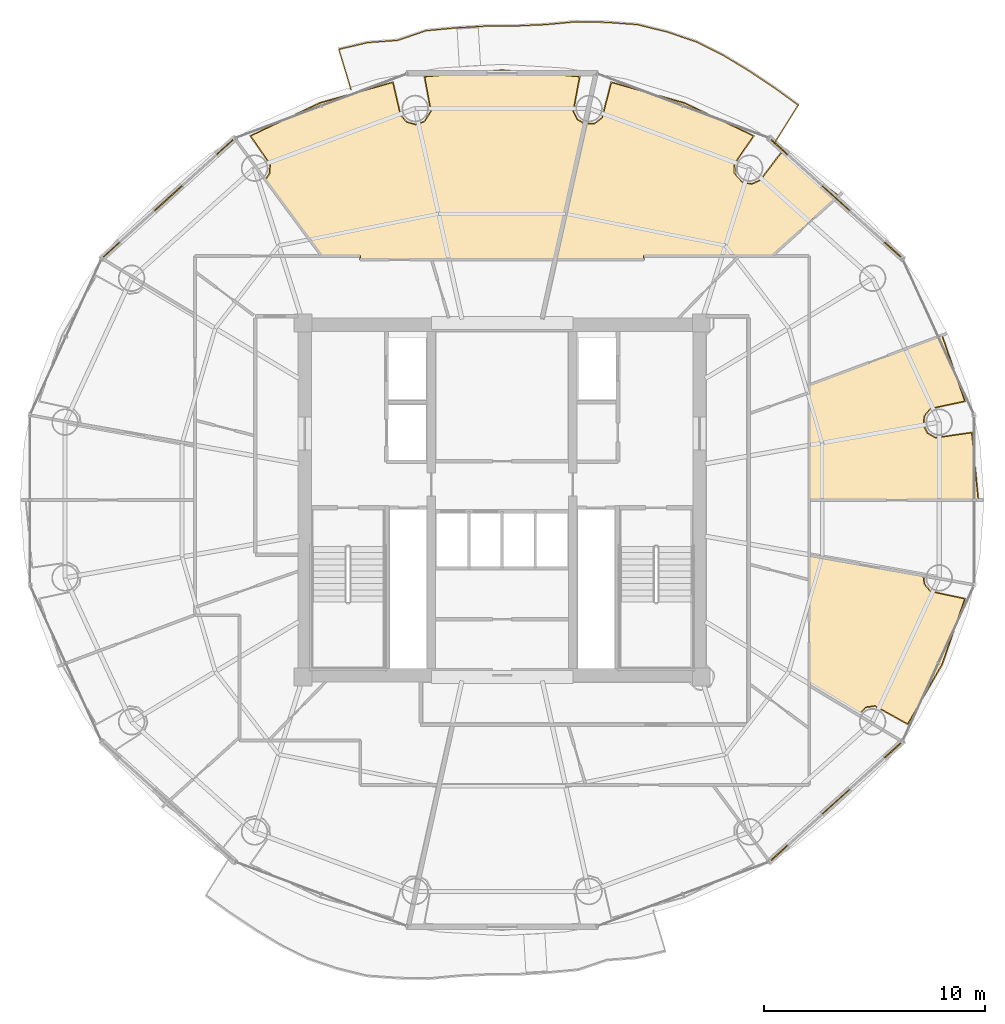
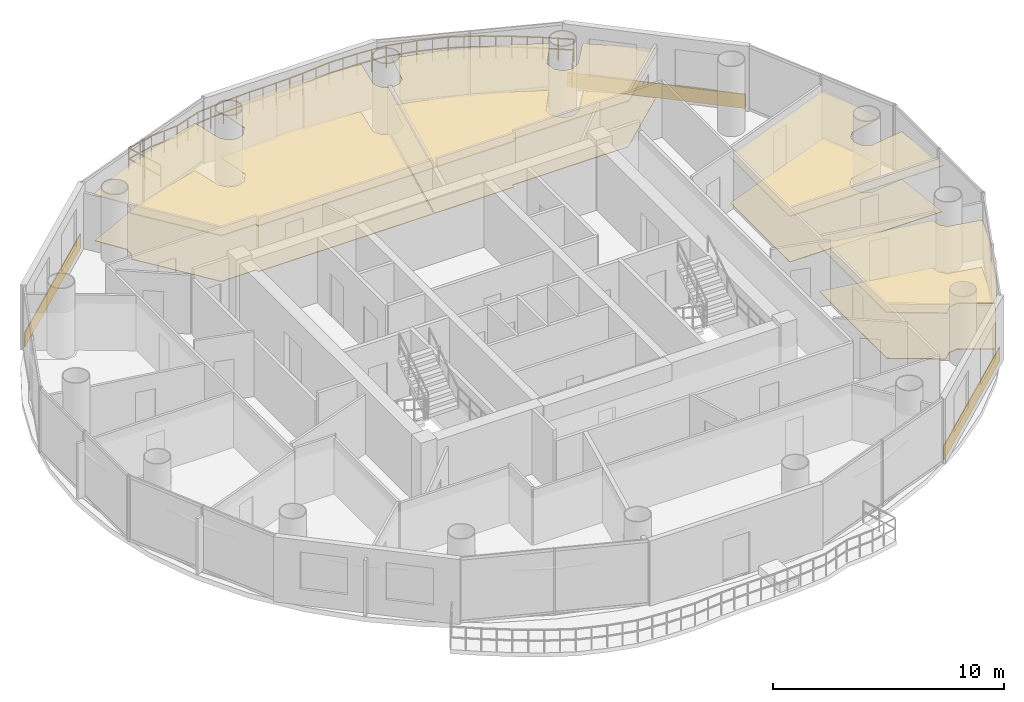
# One storey, part 26 of 26: 11 coverings, 1 railing.
"""IFC4 building model written with IfcOpenShell, lengths in metres."""

from ifc_helpers import new_model, si_unit, direction, frame, origin, origin_2d, place, context, subcontext, project, spatial, polyline, rectangle, outline, extrude, source, transform, mapped, material, layer, layer_set, type_object, element, save


model = new_model("IFC4")

# Units and contexts
model_context = context("Model", 3, precision=1e-05, world=origin(), true_north=direction((-0.2419218956, 0.970295726276)))
body_context = subcontext(model_context, "Body", "Model", "MODEL_VIEW")
ifc_project = project(units=[si_unit("LENGTHUNIT", "METRE"), si_unit("AREAUNIT", "SQUARE_METRE"), si_unit("VOLUMEUNIT", "CUBIC_METRE"), si_unit("PLANEANGLEUNIT", "RADIAN"), si_unit("MASSUNIT", "GRAM", prefix="KILO")], contexts=[model_context])

# Site, building, storey
site_placement = place(None, origin())
site = spatial("IfcSite", under=ifc_project, at=site_placement, CompositionType="ELEMENT")
building_placement = place(site_placement, origin())
building = spatial("IfcBuilding", under=site, at=building_placement, Name="Cobrevalo Terracotta Tower", CompositionType="ELEMENT")
storey_placement = place(building_placement, frame((0.0, 0.0, 228.199951171875)))
storey = spatial("IfcBuildingStorey", under=building, at=storey_placement, Name="L60", CompositionType="ELEMENT", Elevation=228.199951171875)

# Railing
ifc_material_1 = material(Name="Laminated structural glass and stainless steel", Category="steel")
railing_type = type_object("IfcRailingType", Name="Balcony lobe structural glass & terracotta-cap balustrade 1180 mm", PredefinedType="BALUSTRADE", material=ifc_material_1)
railing_placement = place(storey_placement, frame((50.302978515625, 42.908935546875, 0.0)))
element("IfcRailing", 1, at=railing_placement, inside=storey, type_object=railing_type, Name="L60 spiralling balcony lobe balustrade 1", PredefinedType="BALUSTRADE", context=body_context, shape_type="SweptSolid", body=[
    extrude(rectangle(XDim=0.048095703125, YDim=0.048095703125, at=origin_2d()), frame((0.0, 0.0, 1.15576171875), z_axis=(0.529370308427, 0.848390874866, 0.0), x_axis=(-0.848390874866, 0.529370308427, 0.0)), (0.0, 0.0, 1.0), 2.06005859375),
    extrude(rectangle(XDim=0.048095703125, YDim=0.048095703125, at=origin_2d()), frame((0.0, 0.0, 0.58984375), z_axis=(0.529370308427, 0.848390874866, 0.0), x_axis=(-0.848390874866, 0.529370308427, 0.0)), (0.0, 0.0, 1.0), 2.06005859375),
    extrude(rectangle(XDim=0.048095703125, YDim=0.048095703125, at=origin_2d()), frame((1.090576171875, 1.747802734375, 1.15576171875), z_axis=(-0.809333657357, 0.587349156013, 0.0), x_axis=(-0.587349156013, -0.809333657357, 0.0)), (0.0, 0.0, 1.0), 1.341796875),
    extrude(rectangle(XDim=0.048095703125, YDim=0.048095703125, at=origin_2d()), frame((1.090576171875, 1.747802734375, 0.58984375), z_axis=(-0.809333657357, 0.587349156013, 0.0), x_axis=(-0.587349156013, -0.809333657357, 0.0)), (0.0, 0.0, 1.0), 1.341796875),
    extrude(rectangle(XDim=0.048095703125, YDim=0.048095703125, at=origin_2d()), frame((0.004638671875, 2.535888671875, 1.15576171875), z_axis=(-0.831994903251, 0.554783273868, 0.0), x_axis=(-0.554783273868, -0.831994903251, 0.0)), (0.0, 0.0, 1.0), 1.356201171875),
    extrude(rectangle(XDim=0.048095703125, YDim=0.048095703125, at=origin_2d()), frame((0.004638671875, 2.535888671875, 0.58984375), z_axis=(-0.831994903251, 0.554783273868, 0.0), x_axis=(-0.554783273868, -0.831994903251, 0.0)), (0.0, 0.0, 1.0), 1.356201171875),
    extrude(rectangle(XDim=0.048095703125, YDim=0.048095703125, at=origin_2d()), frame((-1.123779296875, 3.288330078125, 1.15576171875), z_axis=(-0.855872915069, 0.517186188188, 0.0), x_axis=(-0.517186188188, -0.855872915069, 0.0)), (0.0, 0.0, 1.0), 1.373291015625),
    extrude(rectangle(XDim=0.048095703125, YDim=0.048095703125, at=origin_2d()), frame((-1.123779296875, 3.288330078125, 0.58984375), z_axis=(-0.855872915069, 0.517186188188, 0.0), x_axis=(-0.517186188188, -0.855872915069, 0.0)), (0.0, 0.0, 1.0), 1.373291015625),
    extrude(rectangle(XDim=0.048095703125, YDim=0.048095703125, at=origin_2d()), frame((-2.299072265625, 3.99853515625, 1.15576171875), z_axis=(-0.894427191, 0.4472135955, 0.0), x_axis=(-0.4472135955, -0.894427191, 0.0)), (0.0, 0.0, 1.0), 1.3779296875),
    extrude(rectangle(XDim=0.048095703125, YDim=0.048095703125, at=origin_2d()), frame((-2.299072265625, 3.99853515625, 0.58984375), z_axis=(-0.894427191, 0.4472135955, 0.0), x_axis=(-0.4472135955, -0.894427191, 0.0)), (0.0, 0.0, 1.0), 1.3779296875),
    extrude(rectangle(XDim=0.048095703125, YDim=0.048095703125, at=origin_2d()), frame((-3.531494140625, 4.61474609375, 1.15576171875), z_axis=(-0.947154951808, 0.320776397613, 0.0), x_axis=(-0.320776397613, -0.947154951808, 0.0)), (0.0, 0.0, 1.0), 1.383544921875),
    extrude(rectangle(XDim=0.048095703125, YDim=0.048095703125, at=origin_2d()), frame((-3.531494140625, 4.61474609375, 0.58984375), z_axis=(-0.947154951808, 0.320776397613, 0.0), x_axis=(-0.320776397613, -0.947154951808, 0.0)), (0.0, 0.0, 1.0), 1.383544921875),
    extrude(rectangle(XDim=0.048095703125, YDim=0.048095703125, at=origin_2d()), frame((-4.842041015625, 5.05859375, 1.15576171875), z_axis=(-0.970927133761, 0.239375230394, 0.0), x_axis=(-0.239375230394, -0.970927133761, 0.0)), (0.0, 0.0, 1.0), 1.382080078125),
    extrude(rectangle(XDim=0.048095703125, YDim=0.048095703125, at=origin_2d()), frame((-4.842041015625, 5.05859375, 0.58984375), z_axis=(-0.970927133761, 0.239375230394, 0.0), x_axis=(-0.239375230394, -0.970927133761, 0.0)), (0.0, 0.0, 1.0), 1.382080078125),
    extrude(rectangle(XDim=0.048095703125, YDim=0.048095703125, at=origin_2d()), frame((-6.183837890625, 5.389404296875, 1.15576171875), z_axis=(-0.997374552669, 0.072415479622, 0.0), x_axis=(-0.072415479622, -0.997374552669, 0.0)), (0.0, 0.0, 1.0), 1.395751953125),
    extrude(rectangle(XDim=0.048095703125, YDim=0.048095703125, at=origin_2d()), frame((-6.183837890625, 5.389404296875, 0.58984375), z_axis=(-0.997374552669, 0.072415479622, 0.0), x_axis=(-0.072415479622, -0.997374552669, 0.0)), (0.0, 0.0, 1.0), 1.395751953125),
    extrude(rectangle(XDim=0.048095703125, YDim=0.048095703125, at=origin_2d()), frame((-7.575927734375, 5.490478515625, 1.15576171875), z_axis=(-0.999815530677, 0.019206889821, 0.0), x_axis=(-0.019206889821, -0.999815530677, 0.0)), (0.0, 0.0, 1.0), 1.385498046875),
    extrude(rectangle(XDim=0.048095703125, YDim=0.048095703125, at=origin_2d()), frame((-7.575927734375, 5.490478515625, 0.58984375), z_axis=(-0.999815530677, 0.019206889821, 0.0), x_axis=(-0.019206889821, -0.999815530677, 0.0)), (0.0, 0.0, 1.0), 1.385498046875),
    extrude(rectangle(XDim=0.048095703125, YDim=0.048095703125, at=origin_2d()), frame((-8.961181640625, 5.51708984375, 1.15576171875), z_axis=(-0.995635757164, -0.093324375473, 0.0), x_axis=(0.093324375473, -0.995635757164, 0.0)), (0.0, 0.0, 1.0), 1.38916015625),
    extrude(rectangle(XDim=0.048095703125, YDim=0.048095703125, at=origin_2d()), frame((-8.961181640625, 5.51708984375, 0.58984375), z_axis=(-0.995635757164, -0.093324375473, 0.0), x_axis=(0.093324375473, -0.995635757164, 0.0)), (0.0, 0.0, 1.0), 1.38916015625),
    extrude(rectangle(XDim=0.048095703125, YDim=0.048095703125, at=origin_2d()), frame((-10.34423828125, 5.387451171875, 1.15576171875), z_axis=(-0.999025094949, -0.04414589067, 0.0), x_axis=(0.04414589067, -0.999025094949, 0.0)), (0.0, 0.0, 1.0), 1.3603515625),
    extrude(rectangle(XDim=0.048095703125, YDim=0.048095703125, at=origin_2d()), frame((-10.34423828125, 5.387451171875, 0.58984375), z_axis=(-0.999025094949, -0.04414589067, 0.0), x_axis=(0.04414589067, -0.999025094949, 0.0)), (0.0, 0.0, 1.0), 1.3603515625),
    extrude(rectangle(XDim=0.048095703125, YDim=0.048095703125, at=origin_2d()), frame((-11.703369140625, 5.327392578125, 1.15576171875), z_axis=(-0.999981065627, -0.006153729635, 0.0), x_axis=(0.006153729635, -0.999981065627, 0.0)), (0.0, 0.0, 1.0), 1.348876953125),
    extrude(rectangle(XDim=0.048095703125, YDim=0.048095703125, at=origin_2d()), frame((-11.703369140625, 5.327392578125, 0.58984375), z_axis=(-0.999981065627, -0.006153729635, 0.0), x_axis=(0.006153729635, -0.999981065627, 0.0)), (0.0, 0.0, 1.0), 1.348876953125),
    extrude(rectangle(XDim=0.048095703125, YDim=0.048095703125, at=origin_2d()), frame((-13.05224609375, 5.319091796875, 1.15576171875), z_axis=(-0.998263138244, -0.058912705117, 0.0), x_axis=(0.058912705117, -0.998263138244, 0.0)), (0.0, 0.0, 1.0), 1.35107421875),
    extrude(rectangle(XDim=0.048095703125, YDim=0.048095703125, at=origin_2d()), frame((-13.05224609375, 5.319091796875, 0.58984375), z_axis=(-0.998263138244, -0.058912705117, 0.0), x_axis=(0.058912705117, -0.998263138244, 0.0)), (0.0, 0.0, 1.0), 1.35107421875),
    extrude(rectangle(XDim=0.048095703125, YDim=0.048095703125, at=origin_2d()), frame((-14.40087890625, 5.239501953125, 1.15576171875), z_axis=(-0.995540121308, -0.094339105711, 0.0), x_axis=(0.094339105711, -0.995540121308, 0.0)), (0.0, 0.0, 1.0), 1.348388671875),
    extrude(rectangle(XDim=0.048095703125, YDim=0.048095703125, at=origin_2d()), frame((-14.40087890625, 5.239501953125, 0.58984375), z_axis=(-0.995540121308, -0.094339105711, 0.0), x_axis=(0.094339105711, -0.995540121308, 0.0)), (0.0, 0.0, 1.0), 1.348388671875),
    extrude(rectangle(XDim=0.048095703125, YDim=0.048095703125, at=origin_2d()), frame((-15.7431640625, 5.1123046875, 1.15576171875), z_axis=(-0.947383494809, -0.320100786883, 0.0), x_axis=(0.320100786883, -0.947383494809, 0.0)), (0.0, 0.0, 1.0), 1.360595703125),
    extrude(rectangle(XDim=0.048095703125, YDim=0.048095703125, at=origin_2d()), frame((-15.7431640625, 5.1123046875, 0.58984375), z_axis=(-0.947383494809, -0.320100786883, 0.0), x_axis=(0.320100786883, -0.947383494809, 0.0)), (0.0, 0.0, 1.0), 1.360595703125),
    extrude(rectangle(XDim=0.048095703125, YDim=0.048095703125, at=origin_2d()), frame((-17.0322265625, 4.6767578125, 1.15576171875), z_axis=(-0.997164886947, -0.075247513184, 0.0), x_axis=(0.075247513184, -0.997164886947, 0.0)), (0.0, 0.0, 1.0), 1.35302734375),
    extrude(rectangle(XDim=0.048095703125, YDim=0.048095703125, at=origin_2d()), frame((-17.0322265625, 4.6767578125, 0.58984375), z_axis=(-0.997164886947, -0.075247513184, 0.0), x_axis=(0.075247513184, -0.997164886947, 0.0)), (0.0, 0.0, 1.0), 1.35302734375),
    extrude(rectangle(XDim=0.048095703125, YDim=0.048095703125, at=origin_2d()), frame((-18.38134765625, 4.574951171875, 1.15576171875), z_axis=(-0.973786104288, -0.227465652563, 0.0), x_axis=(0.227465652563, -0.973786104288, 0.0)), (0.0, 0.0, 1.0), 1.340576171875),
    extrude(rectangle(XDim=0.048095703125, YDim=0.048095703125, at=origin_2d()), frame((-18.38134765625, 4.574951171875, 0.58984375), z_axis=(-0.973786104288, -0.227465652563, 0.0), x_axis=(0.227465652563, -0.973786104288, 0.0)), (0.0, 0.0, 1.0), 1.340576171875),
    extrude(rectangle(XDim=0.048095703125, YDim=0.048095703125, at=origin_2d()), frame((-19.686767578125, 4.27001953125, 1.15576171875), z_axis=(0.28821217892, -0.957566572058, 0.0), x_axis=(0.957566572058, 0.28821217892, 0.0)), (0.0, 0.0, 1.0), 1.8916015625),
    extrude(rectangle(XDim=0.048095703125, YDim=0.048095703125, at=origin_2d()), frame((-19.686767578125, 4.27001953125, 0.58984375), z_axis=(0.28821217892, -0.957566572058, 0.0), x_axis=(0.957566572058, 0.28821217892, 0.0)), (0.0, 0.0, 1.0), 1.8916015625),
    extrude(rectangle(XDim=0.0419921875, YDim=0.0419921875, at=origin_2d()), origin(), (0.0, 0.0, 1.0), 1.1318359375),
    extrude(rectangle(XDim=0.0419921875, YDim=0.0419921875, at=origin_2d()), frame((0.54541015625, 0.8740234375, 0.0)), (0.0, 0.0, 1.0), 1.1318359375),
    extrude(rectangle(XDim=0.0419921875, YDim=0.0419921875, at=origin_2d()), frame((1.090576171875, 1.747802734375, 0.0)), (0.0, 0.0, 1.0), 1.1318359375),
    extrude(rectangle(XDim=0.0419921875, YDim=0.0419921875, at=origin_2d()), frame((0.547607421875, 2.141845703125, 0.0)), (0.0, 0.0, 1.0), 1.1318359375),
    extrude(rectangle(XDim=0.0419921875, YDim=0.0419921875, at=origin_2d()), frame((0.004638671875, 2.535888671875, 0.0)), (0.0, 0.0, 1.0), 1.1318359375),
    extrude(rectangle(XDim=0.0419921875, YDim=0.0419921875, at=origin_2d()), frame((-0.5595703125, 2.912109375, 0.0)), (0.0, 0.0, 1.0), 1.1318359375),
    extrude(rectangle(XDim=0.0419921875, YDim=0.0419921875, at=origin_2d()), frame((-1.123779296875, 3.288330078125, 0.0)), (0.0, 0.0, 1.0), 1.1318359375),
    extrude(rectangle(XDim=0.0419921875, YDim=0.0419921875, at=origin_2d()), frame((-1.71142578125, 3.6435546875, 0.0)), (0.0, 0.0, 1.0), 1.1318359375),
    extrude(rectangle(XDim=0.0419921875, YDim=0.0419921875, at=origin_2d()), frame((-2.299072265625, 3.99853515625, 0.0)), (0.0, 0.0, 1.0), 1.1318359375),
    extrude(rectangle(XDim=0.0419921875, YDim=0.0419921875, at=origin_2d()), frame((-2.915283203125, 4.306640625, 0.0)), (0.0, 0.0, 1.0), 1.1318359375),
    extrude(rectangle(XDim=0.0419921875, YDim=0.0419921875, at=origin_2d()), frame((-3.531494140625, 4.61474609375, 0.0)), (0.0, 0.0, 1.0), 1.1318359375),
    extrude(rectangle(XDim=0.0419921875, YDim=0.0419921875, at=origin_2d()), frame((-4.186767578125, 4.836669921875, 0.0)), (0.0, 0.0, 1.0), 1.1318359375),
    extrude(rectangle(XDim=0.0419921875, YDim=0.0419921875, at=origin_2d()), frame((-4.842041015625, 5.05859375, 0.0)), (0.0, 0.0, 1.0), 1.1318359375),
    extrude(rectangle(XDim=0.0419921875, YDim=0.0419921875, at=origin_2d()), frame((-5.512939453125, 5.22412109375, 0.0)), (0.0, 0.0, 1.0), 1.1318359375),
    extrude(rectangle(XDim=0.0419921875, YDim=0.0419921875, at=origin_2d()), frame((-6.183837890625, 5.389404296875, 0.0)), (0.0, 0.0, 1.0), 1.1318359375),
    extrude(rectangle(XDim=0.0419921875, YDim=0.0419921875, at=origin_2d()), frame((-6.8798828125, 5.43994140625, 0.0)), (0.0, 0.0, 1.0), 1.1318359375),
    extrude(rectangle(XDim=0.0419921875, YDim=0.0419921875, at=origin_2d()), frame((-7.575927734375, 5.490478515625, 0.0)), (0.0, 0.0, 1.0), 1.1318359375),
    extrude(rectangle(XDim=0.0419921875, YDim=0.0419921875, at=origin_2d()), frame((-8.2685546875, 5.50390625, 0.0)), (0.0, 0.0, 1.0), 1.1318359375),
    extrude(rectangle(XDim=0.0419921875, YDim=0.0419921875, at=origin_2d()), frame((-8.961181640625, 5.51708984375, 0.0)), (0.0, 0.0, 1.0), 1.1318359375),
    extrude(rectangle(XDim=0.0419921875, YDim=0.0419921875, at=origin_2d()), frame((-9.65283203125, 5.4521484375, 0.0)), (0.0, 0.0, 1.0), 1.1318359375),
    extrude(rectangle(XDim=0.0419921875, YDim=0.0419921875, at=origin_2d()), frame((-10.34423828125, 5.387451171875, 0.0)), (0.0, 0.0, 1.0), 1.1318359375),
    extrude(rectangle(XDim=0.0419921875, YDim=0.0419921875, at=origin_2d()), frame((-11.02392578125, 5.357421875, 0.0)), (0.0, 0.0, 1.0), 1.1318359375),
    extrude(rectangle(XDim=0.0419921875, YDim=0.0419921875, at=origin_2d()), frame((-11.703369140625, 5.327392578125, 0.0)), (0.0, 0.0, 1.0), 1.1318359375),
    extrude(rectangle(XDim=0.0419921875, YDim=0.0419921875, at=origin_2d()), frame((-12.3779296875, 5.3232421875, 0.0)), (0.0, 0.0, 1.0), 1.1318359375),
    extrude(rectangle(XDim=0.0419921875, YDim=0.0419921875, at=origin_2d()), frame((-13.05224609375, 5.319091796875, 0.0)), (0.0, 0.0, 1.0), 1.1318359375),
    extrude(rectangle(XDim=0.0419921875, YDim=0.0419921875, at=origin_2d()), frame((-13.7265625, 5.279296875, 0.0)), (0.0, 0.0, 1.0), 1.1318359375),
    extrude(rectangle(XDim=0.0419921875, YDim=0.0419921875, at=origin_2d()), frame((-14.40087890625, 5.239501953125, 0.0)), (0.0, 0.0, 1.0), 1.1318359375),
    extrude(rectangle(XDim=0.0419921875, YDim=0.0419921875, at=origin_2d()), frame((-15.072021484375, 5.17578125, 0.0)), (0.0, 0.0, 1.0), 1.1318359375),
    extrude(rectangle(XDim=0.0419921875, YDim=0.0419921875, at=origin_2d()), frame((-15.7431640625, 5.1123046875, 0.0)), (0.0, 0.0, 1.0), 1.1318359375),
    extrude(rectangle(XDim=0.0419921875, YDim=0.0419921875, at=origin_2d()), frame((-16.3876953125, 4.89453125, 0.0)), (0.0, 0.0, 1.0), 1.1318359375),
    extrude(rectangle(XDim=0.0419921875, YDim=0.0419921875, at=origin_2d()), frame((-17.0322265625, 4.6767578125, 0.0)), (0.0, 0.0, 1.0), 1.1318359375),
    extrude(rectangle(XDim=0.0419921875, YDim=0.0419921875, at=origin_2d()), frame((-17.706787109375, 4.6259765625, 0.0)), (0.0, 0.0, 1.0), 1.1318359375),
    extrude(rectangle(XDim=0.0419921875, YDim=0.0419921875, at=origin_2d()), frame((-18.38134765625, 4.574951171875, 0.0)), (0.0, 0.0, 1.0), 1.1318359375),
    extrude(rectangle(XDim=0.0419921875, YDim=0.0419921875, at=origin_2d()), frame((-19.0341796875, 4.42236328125, 0.0)), (0.0, 0.0, 1.0), 1.1318359375),
    extrude(rectangle(XDim=0.0419921875, YDim=0.0419921875, at=origin_2d()), frame((-19.686767578125, 4.27001953125, 0.0)), (0.0, 0.0, 1.0), 1.1318359375),
    extrude(rectangle(XDim=0.0419921875, YDim=0.0419921875, at=origin_2d()), frame((-19.4140625, 3.3642578125, 0.0)), (0.0, 0.0, 1.0), 1.1318359375),
    extrude(rectangle(XDim=0.0419921875, YDim=0.0419921875, at=origin_2d()), frame((-19.1416015625, 2.458740234375, 0.0)), (0.0, 0.0, 1.0), 1.1318359375),
])

# Coverings
ifc_material_2 = material(Name="Engineered Brazilian hardwood flooring", Category="wood")
ifc_layer_1 = layer(ifc_material_2, 0.028076171875)
ifc_layer_set_1 = layer_set([ifc_layer_1], Name="Engineered Brazilian hardwood flooring")
covering_type_1 = type_object("IfcCoveringType", Name="Engineered Hardwood Suite Flooring 28", PredefinedType="FLOORING", material=ifc_layer_set_1)
covering_1_placement = place(storey_placement, origin())
element("IfcCovering", 2, at=covering_1_placement, inside=storey, type_object=covering_type_1, Name="Flat L60A Penthouse Living and Dining Room floor finish", PredefinedType="FLOORING", context=body_context, shape_type="SweptSolid", body=[
    extrude(outline(polyline([(29.763916015625, 44.741455078125), (33.0517578125, 45.669921875), (33.3916015625, 44.204833984375), (33.67138671875, 43.87890625), (34.08544921875, 43.76318359375), (34.49365234375, 43.89697265625), (34.7978515625, 44.375), (34.509765625, 45.931640625), (38.0, 46.219970703125), (41.490234375, 45.931640625), (41.2021484375, 44.375), (41.396240234375, 43.991455078125), (41.720947265625, 43.797119140625), (40.377685546875, 37.695068359375), (31.60498046875, 37.695068359375), (31.60498046875, 37.85498046875), (29.850830078125, 37.85498046875), (27.318603515625, 41.279541015625), (27.502685546875, 41.560546875), (27.522705078125, 41.98974609375), (26.6455078125, 43.259765625), (29.763916015625, 44.741455078125)])), origin(), (0.0, 0.0, 1.0), 0.030029296875),
])
covering_2_placement = place(storey_placement, origin())
element("IfcCovering", 3, at=covering_2_placement, inside=storey, type_object=covering_type_1, Name="Flat L60B Principal Guest Bedroom floor finish", PredefinedType="FLOORING", context=body_context, shape_type="SweptSolid", body=[
    extrude(outline(polyline([(56.337890625, 16.6865234375), (54.8623046875, 17.504150390625), (54.437255859375, 17.44091796875), (54.096435546875, 17.10400390625), (51.905029296875, 18.42724609375), (51.905029296875, 24.2802734375), (57.0302734375, 23.35888671875), (57.0849609375, 22.981689453125), (57.364013671875, 22.655029296875), (58.90771484375, 22.322998046875), (57.882080078125, 19.368896484375), (56.337890625, 16.6865234375)])), origin(), (0.0, 0.0, 1.0), 0.030029296875),
])
covering_3_placement = place(storey_placement, origin())
element("IfcCovering", 4, at=covering_3_placement, inside=storey, type_object=covering_type_1, Name="Flat L60B Principal Guest Bedroom floor finish", PredefinedType="FLOORING", context=body_context, shape_type="SweptSolid", body=[
    extrude(outline(polyline([(57.885498046875, 34.221923828125), (58.90771484375, 31.277099609375), (57.364013671875, 30.94482421875), (57.0849609375, 30.6181640625), (57.0341796875, 30.191650390625), (57.229248046875, 29.80859375), (57.60400390625, 29.5986328125), (59.2265625, 29.83056640625), (59.5185546875, 26.820068359375), (51.905029296875, 26.820068359375), (51.905029296875, 31.9833984375), (57.885498046875, 34.221923828125)])), origin(), (0.0, 0.0, 1.0), 0.030029296875),
])
covering_4_placement = place(storey_placement, origin())
element("IfcCovering", 5, at=covering_4_placement, inside=storey, type_object=covering_type_1, Name="Flat L60B Private Cinema Room floor finish", PredefinedType="FLOORING", context=body_context, shape_type="SweptSolid", body=[
    extrude(outline(polyline([(44.39501953125, 37.695068359375), (40.418701171875, 37.695068359375), (41.759765625, 43.78759765625), (42.198974609375, 43.813232421875), (42.537109375, 44.078369140625), (42.9482421875, 45.669921875), (46.236083984375, 44.741455078125), (49.3544921875, 43.259765625), (48.477294921875, 41.98974609375), (48.497314453125, 41.560546875), (48.87646484375, 41.139892578125), (49.30126953125, 41.07568359375), (49.690185546875, 41.25830078125), (50.6279296875, 42.49169921875), (53.189697265625, 40.553466796875), (50.20361328125, 37.85498046875), (44.39501953125, 37.85498046875), (44.39501953125, 37.695068359375)])), origin(), (0.0, 0.0, 1.0), 0.030029296875),
])
ifc_material_3 = material(Name="Acoustic perforated gypsum ceiling", Category="gypsum")
ifc_layer_2 = layer(ifc_material_3, 0.050048828125)
ifc_layer_set_2 = layer_set([ifc_layer_2], Name="Acoustic perforated gypsum ceiling")
covering_type_2 = type_object("IfcCoveringType", Name="Perforated Acoustic Gypsum Ceiling 50", PredefinedType="CEILING", material=ifc_layer_set_2)
covering_5_placement = place(storey_placement, frame((0.0, 0.0, 2.445068359375)))
element("IfcCovering", 6, at=covering_5_placement, inside=storey, type_object=covering_type_2, Name="Flat L60A Penthouse Living and Dining Room acoustic ceiling", PredefinedType="CEILING", context=body_context, shape_type="SweptSolid", body=[
    extrude(outline(polyline([(29.748291015625, 44.78369140625), (33.08642578125, 45.7216796875), (33.43310546875, 44.22314453125), (33.69580078125, 43.9169921875), (34.084228515625, 43.808349609375), (34.4677734375, 43.93408203125), (34.753173828125, 44.3828125), (34.455810546875, 45.967529296875), (38.0, 46.26513671875), (41.544189453125, 45.967529296875), (41.246826171875, 44.3828125), (41.428955078125, 44.02294921875), (41.7734375, 43.8271484375), (40.413818359375, 37.64990234375), (31.56005859375, 37.64990234375), (31.56005859375, 37.81005859375), (29.828125, 37.81005859375), (27.25830078125, 41.285400390625), (27.460205078125, 41.57568359375), (27.478759765625, 41.978759765625), (26.579833984375, 43.272705078125), (29.748291015625, 44.78369140625)])), origin(), (0.0, 0.0, 1.0), 0.050048828125),
])
covering_6_placement = place(storey_placement, frame((0.0, 0.0, 2.445068359375)))
element("IfcCovering", 7, at=covering_6_placement, inside=storey, type_object=covering_type_2, Name="Flat L60B Principal Guest Bedroom acoustic ceiling", PredefinedType="CEILING", context=body_context, shape_type="SweptSolid", body=[
    extrude(outline(polyline([(56.349853515625, 16.626953125), (54.855712890625, 17.45947265625), (54.45654296875, 17.39990234375), (54.115966796875, 17.039794921875), (51.860107421875, 18.40185546875), (51.860107421875, 24.333984375), (57.078369140625, 23.39599609375), (57.126220703125, 23.0), (57.388427734375, 22.693359375), (58.961669921875, 22.359130859375), (57.923095703125, 19.35009765625), (56.349853515625, 16.626953125)])), origin(), (0.0, 0.0, 1.0), 0.050048828125),
])
covering_7_placement = place(storey_placement, frame((0.0, 0.0, 2.445068359375)))
element("IfcCovering", 8, at=covering_7_placement, inside=storey, type_object=covering_type_2, Name="Flat L60B Principal Guest Bedroom acoustic ceiling", PredefinedType="CEILING", context=body_context, shape_type="SweptSolid", body=[
    extrude(outline(polyline([(57.911865234375, 34.280029296875), (58.961669921875, 31.240966796875), (57.388427734375, 30.90673828125), (57.126220703125, 30.60009765625), (57.07861328125, 30.199462890625), (57.26171875, 29.83984375), (57.613525390625, 29.642578125), (59.26123046875, 29.88232421875), (59.56689453125, 26.77490234375), (51.860107421875, 26.77490234375), (51.860107421875, 32.0146484375), (57.911865234375, 34.280029296875)])), origin(), (0.0, 0.0, 1.0), 0.050048828125),
])
covering_8_placement = place(storey_placement, frame((0.0, 0.0, 2.445068359375)))
element("IfcCovering", 9, at=covering_8_placement, inside=storey, type_object=covering_type_2, Name="Flat L60B Private Cinema Room acoustic ceiling", PredefinedType="CEILING", context=body_context, shape_type="SweptSolid", body=[
    extrude(outline(polyline([(44.43994140625, 37.64990234375), (40.362548828125, 37.64990234375), (41.724853515625, 43.838623046875), (42.1826171875, 43.85546875), (42.500244140625, 44.1044921875), (42.91357421875, 45.7216796875), (46.251708984375, 44.78369140625), (49.420166015625, 43.272705078125), (48.521240234375, 41.978759765625), (48.59765625, 41.452392578125), (48.89599609375, 41.1806640625), (49.294921875, 41.120361328125), (49.659912109375, 41.2919921875), (50.6162109375, 42.55126953125), (53.25927734375, 40.5556640625), (50.220947265625, 37.81005859375), (44.43994140625, 37.81005859375), (44.43994140625, 37.64990234375)])), origin(), (0.0, 0.0, 1.0), 0.050048828125),
])
ifc_material_4 = material(Name="Glazed terracotta facade cladding tile", Category="masonry")
ifc_layer_3 = layer(ifc_material_4, 0.044921875)
ifc_layer_set_3 = layer_set([ifc_layer_3], Name="Glazed terracotta facade cladding tile")
covering_type_3 = type_object("IfcCoveringType", Name="Architectural terracotta rainscreen spandrel cladding 45 mm", PredefinedType="CLADDING", material=ifc_layer_set_3)
shared_shape = source(origin(), body_context, "Body", "SweptSolid", [
    extrude(rectangle(XDim=7.89501953125, YDim=0.044921875, at=origin_2d()), origin(), (0.0, 0.0, 1.0), 0.760009765625),
])
for number, where, z_axis, x_axis, name in (
    (10, (53.097900390625, 40.441650390625, 0.0400390625), (0.0, 0.0, 1.0), (-0.741987542015, 0.670413668935, 0.0), "L60 terracotta spandrel cladding S02"),
    (11, (22.902099609375, 40.441650390625, 0.0400390625), (0.0, 0.0, 1.0), (-0.741987542015, -0.670413668935, 0.0), "L60 terracotta spandrel cladding S06"),
    (12, (53.097900390625, 13.158447265625, 0.0400390625), (0.0, 0.0, 1.0), (0.741987542015, 0.670413668935, 0.0), "L60 terracotta spandrel cladding S14"),
):
    element("IfcCovering", number, at=place(storey_placement, frame(where, z_axis=z_axis, x_axis=x_axis)), inside=storey, type_object=covering_type_3, Name=name, PredefinedType="CLADDING", context=body_context, shape_type="MappedRepresentation", body=[
        mapped(shared_shape, transform((0.0, 0.0, 0.0), scale=1.0)),
    ])

save(model, "model.ifc")
